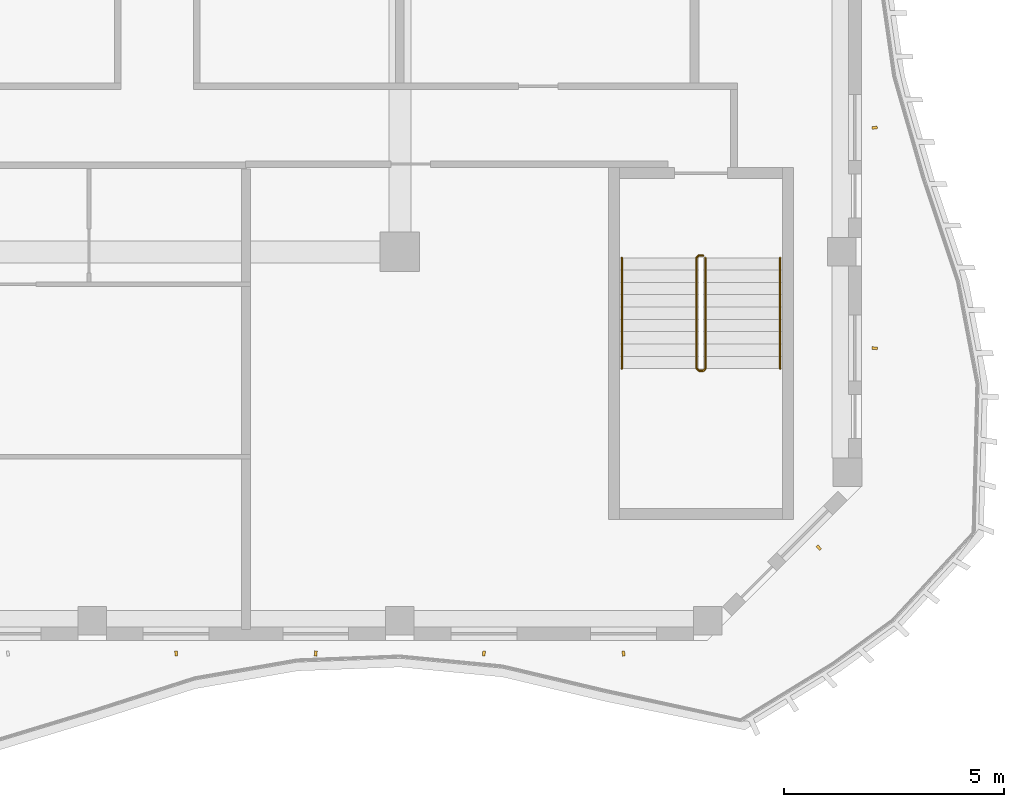
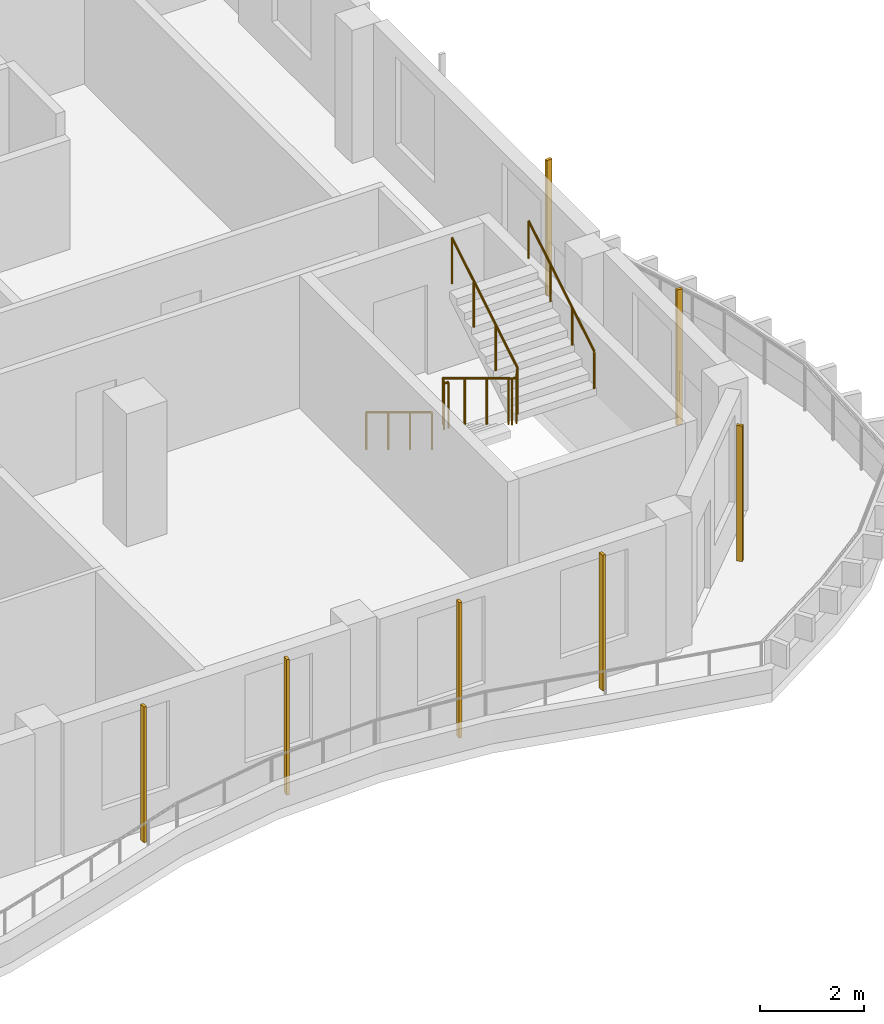
# One storey, part 15 of 18: 7 shading devices, 3 railings.
"""IFC4 building model written with IfcOpenShell, lengths in metres."""

import ifcopenshell
import ifcopenshell.guid

model = None  # the IFC model being written
_history = None  # IfcOwnerHistory: only IFC2X3 demands one
_inside = {}  # id of a spatial element -> (the spatial element, [elements in it])
_under = {}  # id of a project, library or spatial element -> (it, [spatial elements below it])
_declared = {}  # id of a project -> (the project, [libraries it declares])
_typed = {}  # id of a type object -> (the type object, [elements of that type])
_made_of = {}  # id of a material, layer set ... -> (it, [elements and type objects made of it])


def new_model(schema):
    """Start an empty IFC model of exactly this schema.

    Asked for "IFC4X3", IfcOpenShell would pick the latest addendum, in which some entities
    have other attributes; the version numbers below select the first issue.
    IFC2X3 requires an IfcOwnerHistory on every rooted entity: one is made here for all.
    """
    global model, _history
    if schema == "IFC4X3":
        model = ifcopenshell.file(schema_version=(4, 3, 0, 0))
    else:
        model = ifcopenshell.file(schema=schema)
    _inside.clear()
    _under.clear()
    _declared.clear()
    _typed.clear()
    _made_of.clear()
    _history = None
    if model.schema == "IFC2X3":
        org = make("IfcOrganization", Name="unknown")
        user = make(
            "IfcPersonAndOrganization",
            ThePerson=make("IfcPerson", FamilyName="unknown"),
            TheOrganization=org,
        )
        app = make(
            "IfcApplication",
            ApplicationDeveloper=org,
            Version="unknown",
            ApplicationFullName="unknown",
            ApplicationIdentifier="unknown",
        )
        _history = make(
            "IfcOwnerHistory",
            OwningUser=user,
            OwningApplication=app,
            ChangeAction="ADDED",
            CreationDate=0,
        )
    return model


def make(cls, **values):
    """One entity of the class cls with the attributes given. An attribute that is None is left unset."""
    return model.create_entity(
        cls, **{name: value for name, value in values.items() if value is not None}
    )


def rooted(cls, **values):
    """An entity with a GlobalId (a new one), such as an element, a storey or a relation."""
    return make(cls, GlobalId=ifcopenshell.guid.new(), OwnerHistory=_history, **values)


def si_unit(unit_type, name, prefix=None):
    """IfcSIUnit, for example si_unit("LENGTHUNIT", "METRE", prefix="MILLI")."""
    return make("IfcSIUnit", UnitType=unit_type, Prefix=prefix, Name=name)


def assignment(units):
    """IfcUnitAssignment: the units of a project."""
    return None if units is None else make("IfcUnitAssignment", Units=units)


def point(xyz):
    """IfcCartesianPoint."""
    return None if xyz is None else make("IfcCartesianPoint", Coordinates=xyz)


def direction(xyz):
    """IfcDirection."""
    return None if xyz is None else make("IfcDirection", DirectionRatios=xyz)


def frame(location, z_axis=None, x_axis=None):
    """IfcAxis2Placement3D, a coordinate frame: its origin and axes. An axis left out is left unset."""
    return make(
        "IfcAxis2Placement3D",
        Location=point(location),
        Axis=direction(z_axis),
        RefDirection=direction(x_axis),
    )


def frame_2d(location, x_axis=None):
    """IfcAxis2Placement2D, a coordinate frame in the plane: its origin and x axis."""
    return make(
        "IfcAxis2Placement2D", Location=point(location), RefDirection=direction(x_axis)
    )


def origin():
    """The frame at (0, 0, 0) with its axes left unset."""
    return frame((0.0, 0.0, 0.0))


def origin_2d():
    """The frame at (0, 0) in the plane with its x axis left unset."""
    return frame_2d((0.0, 0.0))


def place(relative_to, where):
    """IfcLocalPlacement: puts the frame where relative to a parent placement (None: the world)."""
    return make(
        "IfcLocalPlacement", PlacementRelTo=relative_to, RelativePlacement=where
    )


def context(
    kind, dimensions, precision=None, world=None, true_north=None, identifier=None
):
    """IfcGeometricRepresentationContext, for example the 3D "Model" context."""
    return make(
        "IfcGeometricRepresentationContext",
        ContextIdentifier=identifier,
        ContextType=kind,
        CoordinateSpaceDimension=dimensions,
        Precision=precision,
        WorldCoordinateSystem=world,
        TrueNorth=true_north,
    )


def subcontext(parent, identifier, kind, view, scale=None):
    """IfcGeometricRepresentationSubContext, for example "Body" below "Model"."""
    return make(
        "IfcGeometricRepresentationSubContext",
        ContextIdentifier=identifier,
        ContextType=kind,
        ParentContext=parent,
        TargetScale=scale,
        TargetView=view,
    )


def project(units=None, contexts=None):
    """IfcProject with its units and contexts."""
    return rooted(
        "IfcProject",
        Name="project",
        RepresentationContexts=contexts,
        UnitsInContext=assignment(units),
    )


def spatial(cls, under=None, at=None, **own):
    """A site, building, storey or space (cls), placed at a placement, below another one or the project."""
    s = rooted(cls, ObjectPlacement=at, **own)
    if under is not None:
        _under.setdefault(under.id(), (under, []))[1].append(s)
    return s


def profile(cls, at=None, kind="AREA", **sizes):
    """A parametric profile (cls). Its sizes go by their IFC names, for example OverallWidth=200.0."""
    return make(cls, ProfileType=kind, Position=at, **sizes)


def rectangle(**sizes):
    """IfcRectangleProfileDef."""
    return profile("IfcRectangleProfileDef", **sizes)


def circle(**sizes):
    """IfcCircleProfileDef."""
    return profile("IfcCircleProfileDef", **sizes)


def extrude(swept, where, along, depth):
    """IfcExtrudedAreaSolid: the profile swept, set in the frame where, extruded along a direction by depth."""
    return make(
        "IfcExtrudedAreaSolid",
        SweptArea=swept,
        Position=where,
        ExtrudedDirection=direction(along),
        Depth=depth,
    )


def shape(context_of_items, identifier, shape_type, items):
    """IfcShapeRepresentation: the items that make up one representation, for example the "Body"."""
    return make(
        "IfcShapeRepresentation",
        ContextOfItems=context_of_items,
        RepresentationIdentifier=identifier,
        RepresentationType=shape_type,
        Items=items,
    )


def source(mapping_origin, context_of_items, identifier, shape_type, items):
    """IfcRepresentationMap: a shape defined once, which mapped items show again and again."""
    return make(
        "IfcRepresentationMap",
        MappingOrigin=mapping_origin,
        MappedRepresentation=shape(context_of_items, identifier, shape_type, items),
    )


def transform(
    local_origin,
    x_axis=None,
    y_axis=None,
    z_axis=None,
    scale=None,
    scale2=None,
    scale3=None,
    uniform=True,
):
    """IfcCartesianTransformationOperator3D, or its non-uniform kind. x_axis, y_axis, z_axis: its Axis1, 2, 3."""
    if uniform:
        return make(
            "IfcCartesianTransformationOperator3D",
            Axis1=direction(x_axis),
            Axis2=direction(y_axis),
            LocalOrigin=point(local_origin),
            Scale=scale,
            Axis3=direction(z_axis),
        )
    return make(
        "IfcCartesianTransformationOperator3DnonUniform",
        Axis1=direction(x_axis),
        Axis2=direction(y_axis),
        LocalOrigin=point(local_origin),
        Scale=scale,
        Axis3=direction(z_axis),
        Scale2=scale2,
        Scale3=scale3,
    )


def mapped(mapping_source, mapping_target):
    """IfcMappedItem: shows the shape of a source again, moved by a transform."""
    return make(
        "IfcMappedItem", MappingSource=mapping_source, MappingTarget=mapping_target
    )


def material(Name=None, Category=None):
    """IfcMaterial."""
    return make("IfcMaterial", Name=Name, Category=Category)


def material_profile(
    of_material, cross_section, Name=None, Category=None, Priority=None
):
    """IfcMaterialProfile: a cross section and its material."""
    return make(
        "IfcMaterialProfile",
        Name=Name,
        Material=of_material,
        Profile=cross_section,
        Priority=Priority,
        Category=Category,
    )


def profile_set(profiles, Name=None, composite=None):
    """IfcMaterialProfileSet."""
    return make(
        "IfcMaterialProfileSet",
        Name=Name,
        MaterialProfiles=profiles,
        CompositeProfile=composite,
    )


def made_of(thing, what):
    """Note that an element or type object is made of a material, layer set ...; save() writes the relation."""
    if what is not None:
        _made_of.setdefault(what.id(), (what, []))[1].append(thing)
    return thing


def type_object(cls, material=None, **own):
    """A type object (cls), such as IfcWallType, which elements share."""
    return made_of(rooted(cls, **own), material)


def element(
    cls,
    number,
    at=None,
    inside=None,
    cuts=None,
    type_object=None,
    material=None,
    context=None,
    identifier="Body",
    shape_type=None,
    held_by="IfcProductDefinitionShape",
    body=None,
    shapes=None,
    **own,
):
    """One element of the class cls, such as IfcWall. Its Tag is "e" and its number.

    at: its placement. inside: the storey or other place that contains it. cuts: it is an
    opening in that element (IfcRelVoidsElement). A single representation is given by context,
    identifier, shape_type and body (its items); several are given by shapes. held_by: the class
    of the entity that holds the representations. save() writes the other relations.
    """
    e = rooted(cls, Tag="e%d" % number, ObjectPlacement=at, **own)
    if body is not None:
        shapes = [shape(context, identifier, shape_type, body)]
    if shapes is not None:
        e.Representation = make(held_by, Representations=shapes)
    if inside is not None:
        _inside.setdefault(inside.id(), (inside, []))[1].append(e)
    if cuts is not None:
        rooted(
            "IfcRelVoidsElement", RelatingBuildingElement=cuts, RelatedOpeningElement=e
        )
    if type_object is not None:
        _typed.setdefault(type_object.id(), (type_object, []))[1].append(e)
    return made_of(e, material)


def aggregate(whole, parts):
    """IfcRelAggregates: a whole, such as a stair, and the parts it consists of."""
    return rooted("IfcRelAggregates", RelatingObject=whole, RelatedObjects=parts)


def save(model, path):
    """Write the relations noted so far, then the file.

    IfcRelAggregates (storeys below a building ...), IfcRelContainedInSpatialStructure (elements
    in a storey), IfcRelDefinesByType, IfcRelAssociatesMaterial and IfcRelDeclares: one each for
    every whole, place, type object, material and project.
    """
    for whole, parts in _under.values():
        aggregate(whole, parts)
    for where, things in _inside.values():
        rooted(
            "IfcRelContainedInSpatialStructure",
            RelatedElements=things,
            RelatingStructure=where,
        )
    for kind, things in _typed.values():
        rooted("IfcRelDefinesByType", RelatedObjects=things, RelatingType=kind)
    for what, things in _made_of.values():
        rooted("IfcRelAssociatesMaterial", RelatedObjects=things, RelatingMaterial=what)
    for by, libraries in _declared.values():
        rooted("IfcRelDeclares", RelatingContext=by, RelatedDefinitions=libraries)
    model.write(path)


model = new_model("IFC4")

# Units and contexts
model_context = context("Model", 3, precision=1e-05, world=origin(), true_north=direction((0.0, 1.0)))
body_context = subcontext(model_context, "Body", "Model", "MODEL_VIEW")
ifc_project = project(units=[si_unit("LENGTHUNIT", "METRE"), si_unit("AREAUNIT", "SQUARE_METRE"), si_unit("VOLUMEUNIT", "CUBIC_METRE"), si_unit("PLANEANGLEUNIT", "RADIAN"), si_unit("MASSUNIT", "GRAM", prefix="KILO")], contexts=[model_context])

# Site, building, storey
site_placement = place(None, origin())
site = spatial("IfcSite", under=ifc_project, at=site_placement, CompositionType="ELEMENT")
building_placement = place(site_placement, origin())
building = spatial("IfcBuilding", under=site, at=building_placement, Name="Kilnfold Tower and Market Hall", CompositionType="ELEMENT")
storey_placement = place(building_placement, frame((0.0, 0.0, 280.60009765625)))
storey = spatial("IfcBuildingStorey", under=building, at=storey_placement, Name="L69", CompositionType="ELEMENT", Elevation=280.60009765625)

# Railings
ifc_material_1 = material(Name="Stainless steel 316", Category="steel")
railing_type_1 = type_object("IfcRailingType", Name="CORE STAIR GUARD 1100", PredefinedType="GUARDRAIL", material=ifc_material_1)
railing_1_placement = place(storey_placement, frame((19.89990234375, -9.75, 0.0)))
element("IfcRailing", 1, at=railing_1_placement, inside=storey, type_object=railing_type_1, Name="L69 ST4 stair guard 1", PredefinedType="GUARDRAIL", context=body_context, shape_type="SweptSolid", body=[
    extrude(circle(Radius=0.02392578125, at=origin_2d()), frame((0.0, 0.0, 1.076171875), z_axis=(-1.0, 0.0, 0.0), x_axis=(0.0, -1.0, 0.0)), (0.0, 0.0, 1.0), 0.099853515625),
    extrude(circle(Radius=0.02392578125, at=origin_2d()), frame((-0.099853515625, 0.0, 1.076171875), z_axis=(-0.271895245746, -0.271895245746, 0.923117517265), x_axis=(0.707106781187, -0.707106781187, 0.0)), (0.0, 0.0, 1.0), 0.18408203125),
    extrude(circle(Radius=0.02392578125, at=origin_2d()), frame((-0.14990234375, -0.050048828125, 1.24609375), z_axis=(0.0, -0.85478489116, 0.518982456201), x_axis=(1.0, 0.0, 0.0)), (0.0, 0.0, 1.0), 2.9482421875),
    extrude(circle(Radius=0.02392578125, at=origin_2d()), frame((-0.14990234375, -2.570068359375, 2.77587890625), z_axis=(0.707106781187, -0.707106781187, 0.0), x_axis=(0.707106781187, 0.707106781187, 0.0)), (0.0, 0.0, 1.0), 0.07080078125),
    extrude(circle(Radius=0.02392578125, at=origin_2d()), frame((-0.099853515625, -2.6201171875, 2.77587890625), z_axis=(1.0, 0.0, 0.0), x_axis=(0.0, 1.0, 0.0)), (0.0, 0.0, 1.0), 0.099853515625),
    extrude(circle(Radius=0.02392578125, at=origin_2d()), frame((0.0, -2.6201171875, 2.77587890625), z_axis=(0.271895245746, 0.271895245746, 0.923117517265), x_axis=(-0.707106781187, 0.707106781187, 0.0)), (0.0, 0.0, 1.0), 0.18408203125),
    extrude(circle(Radius=0.02392578125, at=origin_2d()), frame((0.050048828125, -2.570068359375, 2.94580078125), z_axis=(0.0, 0.85478489116, 0.518982456201), x_axis=(-1.0, 0.0, 0.0)), (0.0, 0.0, 1.0), 2.9482421875),
    extrude(circle(Radius=0.02099609375, at=origin_2d()), origin(), (0.0, 0.0, 1.0), 1.052001953125),
    extrude(circle(Radius=0.02099609375, at=origin_2d()), frame((-0.099853515625, 0.0, 0.0)), (0.0, 0.0, 1.0), 1.052001953125),
    extrude(circle(Radius=0.02099609375, at=origin_2d()), frame((-0.14990234375, -0.050048828125, 0.169921875)), (0.0, 0.0, 1.0), 1.052001953125),
    extrude(circle(Radius=0.02099609375, at=origin_2d()), frame((-0.14990234375, -0.89013671875, 0.679931640625)), (0.0, 0.0, 1.0), 1.052001953125),
    extrude(circle(Radius=0.02099609375, at=origin_2d()), frame((-0.14990234375, -1.72998046875, 1.18994140625)), (0.0, 0.0, 1.0), 1.052001953125),
    extrude(circle(Radius=0.02099609375, at=origin_2d()), frame((-0.14990234375, -2.570068359375, 1.699951171875)), (0.0, 0.0, 1.0), 1.052001953125),
    extrude(circle(Radius=0.02099609375, at=origin_2d()), frame((-0.099853515625, -2.6201171875, 1.699951171875)), (0.0, 0.0, 1.0), 1.052001953125),
    extrude(circle(Radius=0.02099609375, at=origin_2d()), frame((0.0, -2.6201171875, 1.699951171875)), (0.0, 0.0, 1.0), 1.052001953125),
    extrude(circle(Radius=0.02099609375, at=origin_2d()), frame((0.050048828125, -2.570068359375, 1.869873046875)), (0.0, 0.0, 1.0), 1.052001953125),
    extrude(circle(Radius=0.02099609375, at=origin_2d()), frame((0.050048828125, -1.72998046875, 2.3798828125)), (0.0, 0.0, 1.0), 1.052001953125),
    extrude(circle(Radius=0.02099609375, at=origin_2d()), frame((0.050048828125, -0.89013671875, 2.889892578125)), (0.0, 0.0, 1.0), 1.052001953125),
    extrude(circle(Radius=0.02099609375, at=origin_2d()), frame((0.050048828125, -0.050048828125, 3.39990234375)), (0.0, 0.0, 1.0), 1.052001953125),
])
ifc_material_2 = material(Name="Stainless steel 316", Category="steel")
railing_type_2 = type_object("IfcRailingType", Name="CORE STAIR HANDRAIL 900", PredefinedType="HANDRAIL", material=ifc_material_2)
railing_2_placement = place(storey_placement, frame((18.050048828125, -9.800048828125, 0.169921875)))
element("IfcRailing", 2, at=railing_2_placement, inside=storey, type_object=railing_type_2, Name="L69 ST4 stair handrail 1", PredefinedType="HANDRAIL", context=body_context, shape_type="SweptSolid", body=[
    extrude(circle(Radius=0.02392578125, at=origin_2d()), frame((0.0, 0.0, 0.8759765625), z_axis=(0.0, -0.85478489116, 0.518982456201), x_axis=(1.0, 0.0, 0.0)), (0.0, 0.0, 1.0), 2.9482421875),
    extrude(circle(Radius=0.02099609375, at=origin_2d()), origin(), (0.0, 0.0, 1.0), 0.851806640625),
    extrude(circle(Radius=0.02099609375, at=origin_2d()), frame((0.0, -0.840087890625, 0.510009765625)), (0.0, 0.0, 1.0), 0.851806640625),
    extrude(circle(Radius=0.02099609375, at=origin_2d()), frame((0.0, -1.679931640625, 1.02001953125)), (0.0, 0.0, 1.0), 0.851806640625),
    extrude(circle(Radius=0.02099609375, at=origin_2d()), frame((0.0, -2.52001953125, 1.530029296875)), (0.0, 0.0, 1.0), 0.851806640625),
])
railing_3_placement = place(storey_placement, frame((21.64990234375, -12.320068359375, 1.869873046875)))
element("IfcRailing", 3, at=railing_3_placement, inside=storey, type_object=railing_type_2, Name="L69 ST4 stair handrail 2", PredefinedType="HANDRAIL", context=body_context, shape_type="SweptSolid", body=[
    extrude(circle(Radius=0.02392578125, at=origin_2d()), frame((0.0, 0.0, 0.8759765625), z_axis=(0.0, 0.85478489116, 0.518982456201), x_axis=(-1.0, 0.0, 0.0)), (0.0, 0.0, 1.0), 2.9482421875),
    extrude(circle(Radius=0.02099609375, at=origin_2d()), origin(), (0.0, 0.0, 1.0), 0.851806640625),
    extrude(circle(Radius=0.02099609375, at=origin_2d()), frame((0.0, 0.840087890625, 0.510009765625)), (0.0, 0.0, 1.0), 0.851806640625),
    extrude(circle(Radius=0.02099609375, at=origin_2d()), frame((0.0, 1.679931640625, 1.02001953125)), (0.0, 0.0, 1.0), 0.851806640625),
    extrude(circle(Radius=0.02099609375, at=origin_2d()), frame((0.0, 2.52001953125, 1.530029296875)), (0.0, 0.0, 1.0), 0.851806640625),
])

# Shading devices
ifc_material_3 = material(Name="Terracotta", Category="masonry")
ifc_material_profile = material_profile(ifc_material_3, rectangle(XDim=0.06005859375, YDim=0.1201171875, at=origin_2d()), Name="BAG 60x120")
ifc_profile_set = profile_set([ifc_material_profile], Name="Terracotta")
shading_device_type = type_object("IfcShadingDeviceType", Name="BAGUETTE", PredefinedType="USERDEFINED", material=ifc_profile_set)
shared_shape = source(origin(), body_context, "Body", "SweptSolid", [
    extrude(rectangle(XDim=0.06005859375, YDim=0.1201171875, at=origin_2d()), origin(), (0.0, 0.0, 1.0), 3.179931640625),
])
for number, where, z_axis, x_axis, name in (
    (4, (7.91259765625, -18.800048828125, 0.0), (0.0, 0.0, 1.0), (0.997718223174, 0.067515532625, 0.0), "Terracotta baguette L69 S"),
    (5, (11.08740234375, -18.800048828125, 0.0), (0.0, 0.0, 1.0), (0.993837954448, -0.110842772871, 0.0), "Terracotta baguette L69 S"),
    (6, (14.91259765625, -18.800048828125, 0.0), (0.0, 0.0, 1.0), (0.997718223174, -0.067515532625, 0.0), "Terracotta baguette L69 S"),
    (7, (18.08740234375, -18.800048828125, 0.0), (0.0, 0.0, 1.0), (0.993837954448, 0.110842772871, 0.0), "Terracotta baguette L69 S"),
    (8, (22.52978515625, -16.394287109375, 0.0), (0.0, 0.0, 1.0), (0.71763177566, 0.696422741274, 0.0), "Terracotta baguette L69 SE"),
    (9, (23.800048828125, -11.856689453125, 0.0), (0.0, 0.0, 1.0), (0.106781220176, 0.994282540839, 0.0), "Terracotta baguette L69 E"),
    (10, (23.800048828125, -6.841796875, 0.0), (0.0, 0.0, 1.0), (-0.136606045802, 0.99062545306, 0.0), "Terracotta baguette L69 E"),
):
    element("IfcShadingDevice", number, at=place(storey_placement, frame(where, z_axis=z_axis, x_axis=x_axis)), inside=storey, type_object=shading_device_type, Name=name, ObjectType="BAGUETTE", PredefinedType="USERDEFINED", context=body_context, shape_type="MappedRepresentation", body=[
        mapped(shared_shape, transform((0.0, 0.0, 0.0))),
    ])

save(model, "model.ifc")
